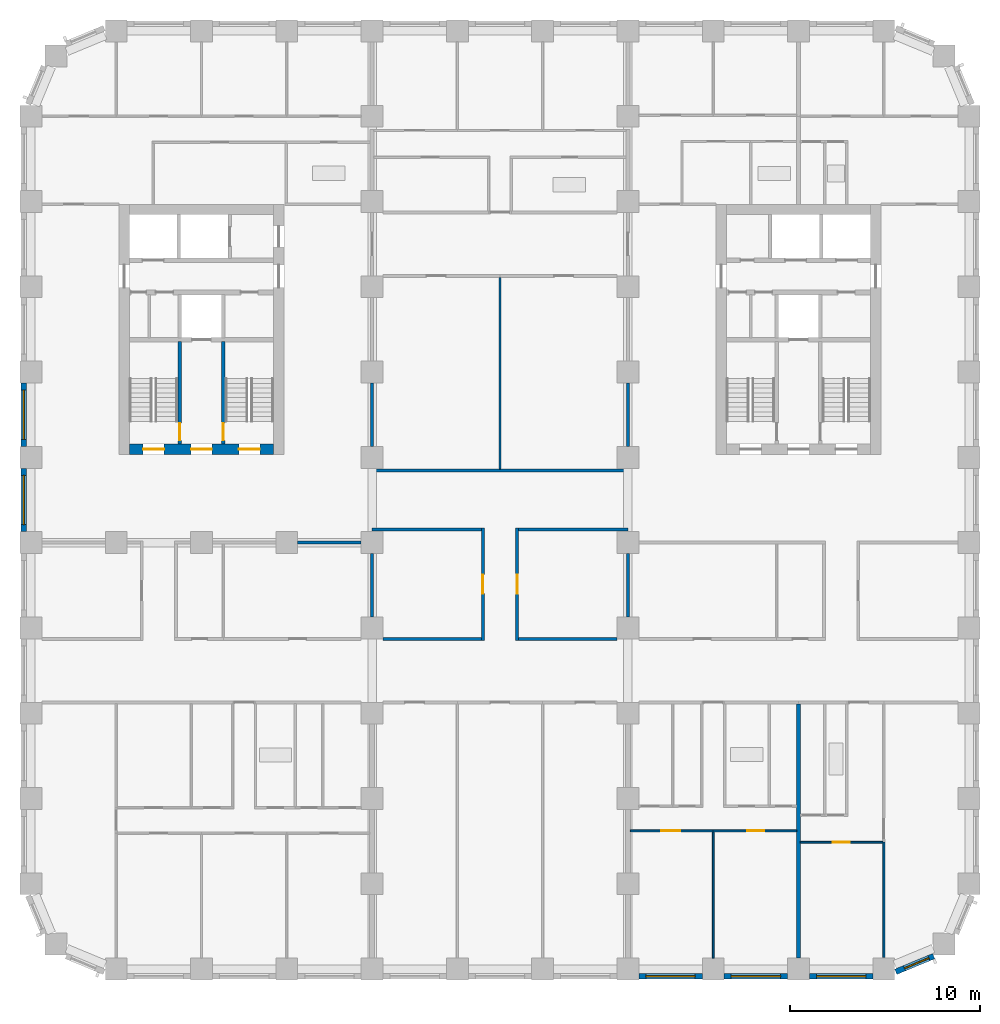
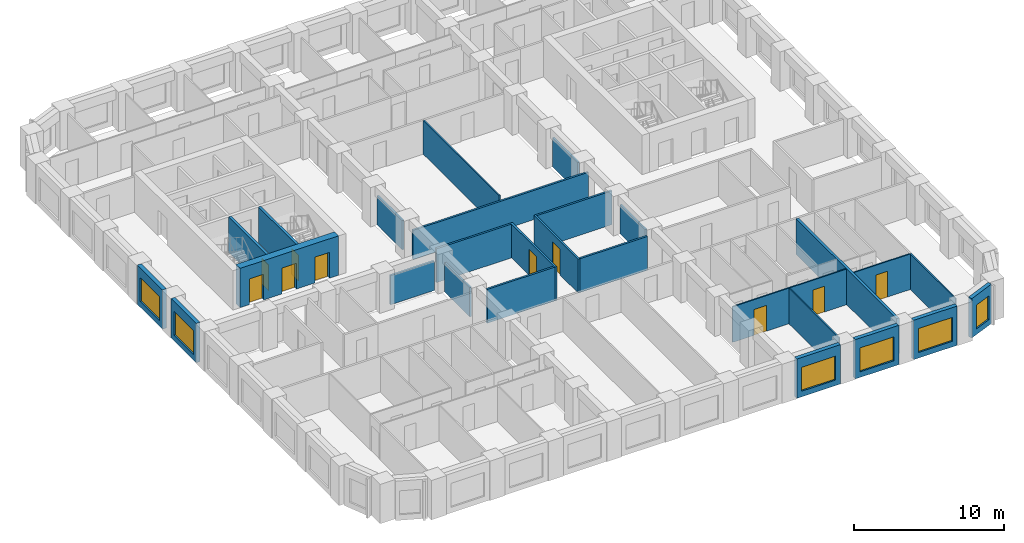
# One storey, part 4 of 13: 28 walls, 10 doors, 6 windows, 16 openings.
"""IFC4 building model written with IfcOpenShell, lengths in metres."""

from ifc_helpers import new_model, si_unit, direction, frame, frame_2d, origin, place, context, subcontext, project, spatial, rectangle, extrude, material, layer, layer_set, type_object, element, fill, save


model = new_model("IFC4")

# Units and contexts
model_context = context("Model", 3, precision=1e-05, world=origin(), true_north=direction((0.0, 1.0)))
body_context = subcontext(model_context, "Body", "Model", "MODEL_VIEW")
ifc_project = project(units=[si_unit("LENGTHUNIT", "METRE"), si_unit("AREAUNIT", "SQUARE_METRE"), si_unit("VOLUMEUNIT", "CUBIC_METRE"), si_unit("PLANEANGLEUNIT", "RADIAN"), si_unit("MASSUNIT", "GRAM", prefix="KILO")], contexts=[model_context])

# Site, building, storey
site_placement = place(None, origin())
site = spatial("IfcSite", under=ifc_project, at=site_placement, CompositionType="ELEMENT")
building_placement = place(site_placement, origin())
building = spatial("IfcBuilding", under=site, at=building_placement, Name="Girih Gate Residences", CompositionType="ELEMENT")
storey_placement = place(building_placement, frame((0.0, 0.0, 86.39990234375)))
storey = spatial("IfcBuildingStorey", under=building, at=storey_placement, Name="L23", CompositionType="ELEMENT", Elevation=86.39990234375)

# Wall, opening, door
ifc_material_1 = material(Name="Gypsum board on steel studs", Category="steel")
ifc_layer_1 = layer(ifc_material_1, 0.14990234375)
ifc_layer_set_1 = layer_set([ifc_layer_1], Name="Compartment wall 150 mm")
wall_type_1 = type_object("IfcWallType", Name="Compartment wall 150 mm", PredefinedType="PARTITIONING", material=ifc_layer_set_1)
wall_1_placement = place(storey_placement, frame((23.85009765625, 17.35009765625, 0.0), z_axis=(0.0, 0.0, 1.0), x_axis=(0.0, 1.0, 0.0)))
wall_1 = element("IfcWall", 1, at=wall_1_placement, inside=storey, type_object=wall_type_1, Name="L23 partition", PredefinedType="PARTITIONING", context=body_context, shape_type="SweptSolid", body=[
    extrude(rectangle(XDim=5.9248046875, YDim=0.14990234375, at=frame_2d((2.96240234375, 0.0))), origin(), (0.0, 0.0, 1.0), 2.75),
])
opening_1_placement = place(wall_1_placement, frame((2.46240234375, 0.0, 0.0)))
opening_1 = element("IfcOpeningElement", 2, at=opening_1_placement, cuts=wall_1, Name="Opening A23-053", PredefinedType="OPENING", context=body_context, shape_type="SweptSolid", body=[
    extrude(rectangle(XDim=1.0, YDim=2.10009765625, at=frame_2d((0.5, 1.050048828125))), frame((0.0, 0.0849609375, 0.0), z_axis=(0.0, -1.0, 0.0), x_axis=(1.0, 0.0, 0.0)), (0.0, 0.0, 1.0), 0.169921875),
])
ifc_material_2 = material(Name="Timber, fire-rated core", Category="wood")
door_type_1 = type_object("IfcDoorType", Name="Amenity room door 1000x2100 FD30S", OperationType="NOTDEFINED", PredefinedType="DOOR", material=ifc_material_2)
door_1_placement = place(opening_1_placement, origin())
door_1 = element("IfcDoor", 3, at=door_1_placement, inside=storey, type_object=door_type_1, Name="Door A23-053", OperationType="SINGLE_SWING_RIGHT", OverallHeight=2.10009765625, OverallWidth=1.0, PredefinedType="DOOR", context=body_context, shape_type="SweptSolid", body=[
    extrude(rectangle(XDim=1.0, YDim=2.10009765625, at=frame_2d((0.5, 1.050048828125))), frame((0.0, 0.02490234375, 0.0), z_axis=(0.0, -1.0, 0.0), x_axis=(1.0, 0.0, 0.0)), (0.0, 0.0, 1.0), 0.050048828125),
])
fill(opening_1, door_1)

wall_2_placement = place(storey_placement, frame((25.64990234375, 23.27490234375, 0.0), z_axis=(0.0, 0.0, 1.0), x_axis=(0.0, -1.0, 0.0)))
wall_2 = element("IfcWall", 4, at=wall_2_placement, inside=storey, type_object=wall_type_1, Name="L23 partition", PredefinedType="PARTITIONING", context=body_context, shape_type="SweptSolid", body=[
    extrude(rectangle(XDim=5.9248046875, YDim=0.14990234375, at=frame_2d((2.96240234375, 0.0))), origin(), (0.0, 0.0, 1.0), 2.75),
])
opening_2_placement = place(wall_2_placement, frame((2.46240234375, 0.0, 0.0)))
opening_2 = element("IfcOpeningElement", 5, at=opening_2_placement, cuts=wall_2, Name="Opening A23-054", PredefinedType="OPENING", context=body_context, shape_type="SweptSolid", body=[
    extrude(rectangle(XDim=1.0, YDim=2.10009765625, at=frame_2d((0.5, 1.050048828125))), frame((0.0, 0.0849609375, 0.0), z_axis=(0.0, -1.0, 0.0), x_axis=(1.0, 0.0, 0.0)), (0.0, 0.0, 1.0), 0.169921875),
])
door_2_placement = place(opening_2_placement, origin())
door_2 = element("IfcDoor", 6, at=door_2_placement, inside=storey, type_object=door_type_1, Name="Door A23-054", OperationType="SINGLE_SWING_RIGHT", OverallHeight=2.10009765625, OverallWidth=1.0, PredefinedType="DOOR", context=body_context, shape_type="SweptSolid", body=[
    extrude(rectangle(XDim=1.0, YDim=2.10009765625, at=frame_2d((0.5, 1.050048828125))), frame((0.0, 0.02490234375, 0.0), z_axis=(0.0, -1.0, 0.0), x_axis=(1.0, 0.0, 0.0)), (0.0, 0.0, 1.0), 0.050048828125),
])
fill(opening_2, door_2)

# Walls
for number, where, z_axis, x_axis, name in (
    (7, (18.574951171875, 17.425048828125, 0.0), (0.0, 0.0, 1.0), (1.0, 0.0, 0.0), "L23 partition"),
    (8, (25.72509765625, 17.425048828125, 0.0), (0.0, 0.0, 1.0), (1.0, 0.0, 0.0), "L23 partition"),
):
    element("IfcWall", number, at=place(storey_placement, frame(where, z_axis=z_axis, x_axis=x_axis)), inside=storey, type_object=wall_type_1, Name=name, PredefinedType="PARTITIONING", context=body_context, shape_type="SweptSolid", body=[
        extrude(rectangle(XDim=5.199951171875, YDim=0.14990234375, at=frame_2d((2.60009765625, 0.0))), origin(), (0.0, 0.0, 1.0), 2.75),
    ])
wall_3_placement = place(storey_placement, frame((18.0, 27.574951171875, 0.0), z_axis=(0.0, 0.0, 1.0), x_axis=(0.0, 1.0, 0.0)))
element("IfcWall", 9, at=wall_3_placement, inside=storey, type_object=wall_type_1, Name="L23 partition", PredefinedType="PARTITIONING", context=body_context, shape_type="SweptSolid", body=[
    extrude(rectangle(XDim=3.35009765625, YDim=0.14990234375, at=frame_2d((1.675048828125, 0.0))), origin(), (0.0, 0.0, 1.0), 2.380126953125),
])
wall_4_placement = place(storey_placement, frame((18.0, 26.300048828125, 0.0), z_axis=(0.0, 0.0, 1.0), x_axis=(1.0, 0.0, 0.0)))
element("IfcWall", 10, at=wall_4_placement, inside=storey, type_object=wall_type_1, Name="L23 partition", PredefinedType="PARTITIONING", context=body_context, shape_type="SweptSolid", body=[
    extrude(rectangle(XDim=13.5, YDim=0.14990234375, at=frame_2d((6.75, 0.0))), origin(), (0.0, 0.0, 1.0), 2.380126953125),
])
wall_5_placement = place(storey_placement, frame((31.5, 27.574951171875, 0.0), z_axis=(0.0, 0.0, 1.0), x_axis=(0.0, 1.0, 0.0)))
element("IfcWall", 11, at=wall_5_placement, inside=storey, type_object=wall_type_1, Name="L23 partition", PredefinedType="PARTITIONING", context=body_context, shape_type="SweptSolid", body=[
    extrude(rectangle(XDim=3.35009765625, YDim=0.14990234375, at=frame_2d((1.675048828125, 0.0))), origin(), (0.0, 0.0, 1.0), 2.380126953125),
])
wall_6_placement = place(storey_placement, frame((18.0, 23.199951171875, 0.0), z_axis=(0.0, 0.0, 1.0), x_axis=(1.0, 0.0, 0.0)))
element("IfcWall", 12, at=wall_6_placement, inside=storey, type_object=wall_type_1, Name="L23 partition", PredefinedType="PARTITIONING", context=body_context, shape_type="SweptSolid", body=[
    extrude(rectangle(XDim=5.77490234375, YDim=0.14990234375, at=frame_2d((2.887451171875, 0.0))), origin(), (0.0, 0.0, 1.0), 2.75),
])
wall_7_placement = place(storey_placement, frame((18.0, 18.574951171875, 0.0), z_axis=(0.0, 0.0, 1.0), x_axis=(0.0, 1.0, 0.0)))
element("IfcWall", 13, at=wall_7_placement, inside=storey, type_object=wall_type_1, Name="L23 partition", PredefinedType="PARTITIONING", context=body_context, shape_type="SweptSolid", body=[
    extrude(rectangle(XDim=3.35009765625, YDim=0.14990234375, at=frame_2d((1.675048828125, 0.0))), origin(), (0.0, 0.0, 1.0), 2.380126953125),
])
wall_8_placement = place(storey_placement, frame((25.72509765625, 23.199951171875, 0.0), z_axis=(0.0, 0.0, 1.0), x_axis=(1.0, 0.0, 0.0)))
element("IfcWall", 14, at=wall_8_placement, inside=storey, type_object=wall_type_1, Name="L23 partition", PredefinedType="PARTITIONING", context=body_context, shape_type="SweptSolid", body=[
    extrude(rectangle(XDim=5.77490234375, YDim=0.14990234375, at=frame_2d((2.887451171875, 0.0))), origin(), (0.0, 0.0, 1.0), 2.75),
])
for number, where, z_axis, x_axis, name in (
    (15, (31.5, 18.574951171875, 0.0), (0.0, 0.0, 1.0), (0.0, 1.0, 0.0), "L23 partition"),
    (16, (14.074951171875, 22.5, 0.0), (0.0, 0.0, 1.0), (1.0, 0.0, 0.0), "L23 partition"),
):
    element("IfcWall", number, at=place(storey_placement, frame(where, z_axis=z_axis, x_axis=x_axis)), inside=storey, type_object=wall_type_1, Name=name, PredefinedType="PARTITIONING", context=body_context, shape_type="SweptSolid", body=[
        extrude(rectangle(XDim=3.35009765625, YDim=0.14990234375, at=frame_2d((1.675048828125, 0.0))), origin(), (0.0, 0.0, 1.0), 2.380126953125),
    ])

# Wall, openings, doors
ifc_material_3 = material(Name="Concrete C60/75", Category="concrete")
ifc_layer_2 = layer(ifc_material_3, 0.550048828125)
ifc_layer_set_2 = layer_set([ifc_layer_2], Name="Core wall RC 550 Concrete C60/75")
wall_type_2 = type_object("IfcWallType", Name="Core wall RC 550 Concrete C60/75", PredefinedType="SOLIDWALL", material=ifc_layer_set_2)
wall_9_placement = place(storey_placement, frame((5.199951171875, 27.425048828125, 0.0), z_axis=(0.0, 0.0, 1.0), x_axis=(1.0, 0.0, 0.0)))
wall_9 = element("IfcWall", 17, at=wall_9_placement, inside=storey, type_object=wall_type_2, Name="Core wall W-S L23", PredefinedType="SOLIDWALL", context=body_context, shape_type="SweptSolid", body=[
    extrude(rectangle(XDim=7.60009765625, YDim=0.550048828125, at=frame_2d((3.800048828125, 0.0))), origin(), (0.0, 0.0, 1.0), 3.2001953125),
])
opening_3_placement = place(wall_9_placement, frame((0.72509765625, 0.0, 0.0)))
opening_3 = element("IfcOpeningElement", 18, at=opening_3_placement, cuts=wall_9, Name="Opening D-L23-W-009", PredefinedType="OPENING", context=body_context, shape_type="SweptSolid", body=[
    extrude(rectangle(XDim=1.10009765625, YDim=2.10009765625, at=frame_2d((0.550048828125, 1.050048828125))), frame((0.0, 0.284912109375, 0.0), z_axis=(0.0, -1.0, 0.0), x_axis=(1.0, 0.0, 0.0)), (0.0, 0.0, 1.0), 0.570068359375),
])
opening_4_placement = place(wall_9_placement, frame((3.25, 0.0, 0.0)))
opening_4 = element("IfcOpeningElement", 19, at=opening_4_placement, cuts=wall_9, Name="Opening D-L23-W-010", PredefinedType="OPENING", context=body_context, shape_type="SweptSolid", body=[
    extrude(rectangle(XDim=1.10009765625, YDim=2.10009765625, at=frame_2d((0.550048828125, 1.050048828125))), frame((0.0, 0.284912109375, 0.0), z_axis=(0.0, -1.0, 0.0), x_axis=(1.0, 0.0, 0.0)), (0.0, 0.0, 1.0), 0.570068359375),
])
opening_5_placement = place(wall_9_placement, frame((5.77490234375, 0.0, 0.0)))
opening_5 = element("IfcOpeningElement", 20, at=opening_5_placement, cuts=wall_9, Name="Opening D-L23-W-011", PredefinedType="OPENING", context=body_context, shape_type="SweptSolid", body=[
    extrude(rectangle(XDim=1.10009765625, YDim=2.10009765625, at=frame_2d((0.550048828125, 1.050048828125))), frame((0.0, 0.284912109375, 0.0), z_axis=(0.0, -1.0, 0.0), x_axis=(1.0, 0.0, 0.0)), (0.0, 0.0, 1.0), 0.570068359375),
])
ifc_material_4 = material(Name="Painted steel, fire-resisting", Category="steel")
door_type_2 = type_object("IfcDoorType", Name="Fire door 1100x2100", OperationType="SINGLE_SWING_LEFT", PredefinedType="DOOR", material=ifc_material_4)
door_3_placement = place(opening_3_placement, origin())
door_3 = element("IfcDoor", 21, at=door_3_placement, inside=storey, type_object=door_type_2, Name="L23 W core door sta-out", OperationType="SINGLE_SWING_LEFT", OverallHeight=2.10009765625, OverallWidth=1.10009765625, PredefinedType="DOOR", context=body_context, shape_type="SweptSolid", body=[
    extrude(rectangle(XDim=1.10009765625, YDim=2.10009765625, at=frame_2d((0.550048828125, 1.050048828125))), frame((0.0, 0.02490234375, 0.0), z_axis=(0.0, -1.0, 0.0), x_axis=(1.0, 0.0, 0.0)), (0.0, 0.0, 1.0), 0.050048828125),
])
fill(opening_3, door_3)
door_4_placement = place(opening_4_placement, origin())
door_4 = element("IfcDoor", 22, at=door_4_placement, inside=storey, type_object=door_type_2, Name="L23 W core door ffl-out", OperationType="SINGLE_SWING_LEFT", OverallHeight=2.10009765625, OverallWidth=1.10009765625, PredefinedType="DOOR", context=body_context, shape_type="SweptSolid", body=[
    extrude(rectangle(XDim=1.10009765625, YDim=2.10009765625, at=frame_2d((0.550048828125, 1.050048828125))), frame((0.0, 0.02490234375, 0.0), z_axis=(0.0, -1.0, 0.0), x_axis=(1.0, 0.0, 0.0)), (0.0, 0.0, 1.0), 0.050048828125),
])
fill(opening_4, door_4)
door_5_placement = place(opening_5_placement, origin())
door_5 = element("IfcDoor", 23, at=door_5_placement, inside=storey, type_object=door_type_2, Name="L23 W core door stb-out", OperationType="SINGLE_SWING_LEFT", OverallHeight=2.10009765625, OverallWidth=1.10009765625, PredefinedType="DOOR", context=body_context, shape_type="SweptSolid", body=[
    extrude(rectangle(XDim=1.10009765625, YDim=2.10009765625, at=frame_2d((0.550048828125, 1.050048828125))), frame((0.0, 0.02490234375, 0.0), z_axis=(0.0, -1.0, 0.0), x_axis=(1.0, 0.0, 0.0)), (0.0, 0.0, 1.0), 0.050048828125),
])
fill(opening_5, door_5)

# Wall, opening, door
ifc_layer_3 = layer(ifc_material_1, 0.10009765625)
ifc_layer_set_3 = layer_set([ifc_layer_3], Name="Partition 100 mm")
wall_type_3 = type_object("IfcWallType", Name="Partition 100 mm", PredefinedType="PARTITIONING", material=ifc_layer_set_3)
wall_10_placement = place(storey_placement, frame((44.949951171875, 6.695068359375, 0.0), z_axis=(0.0, 0.0, 1.0), x_axis=(-1.0, 0.0, 0.0)))
wall_10 = element("IfcWall", 24, at=wall_10_placement, inside=storey, type_object=wall_type_3, Name="L23 partition", PredefinedType="PARTITIONING", context=body_context, shape_type="SweptSolid", body=[
    extrude(rectangle(XDim=4.349853515625, YDim=0.10009765625, at=frame_2d((2.1748046875, 0.0))), origin(), (0.0, 0.0, 1.0), 2.900146484375),
])
opening_6_placement = place(wall_10_placement, frame((1.75, 0.0, 0.0)))
opening_6 = element("IfcOpeningElement", 25, at=opening_6_placement, cuts=wall_10, Name="Opening A23-019", PredefinedType="OPENING", context=body_context, shape_type="SweptSolid", body=[
    extrude(rectangle(XDim=0.89990234375, YDim=2.10009765625, at=frame_2d((0.449951171875, 1.050048828125))), frame((0.0, 0.06005859375, 0.0), z_axis=(0.0, -1.0, 0.0), x_axis=(1.0, 0.0, 0.0)), (0.0, 0.0, 1.0), 0.1201171875),
])
ifc_material_5 = material(Name="Timber", Category="wood")
door_type_3 = type_object("IfcDoorType", Name="Bedroom door 900x2100", OperationType="NOTDEFINED", PredefinedType="DOOR", material=ifc_material_5)
door_6_placement = place(opening_6_placement, origin())
door_6 = element("IfcDoor", 26, at=door_6_placement, inside=storey, type_object=door_type_3, Name="Door A23-019", OperationType="SINGLE_SWING_RIGHT", OverallHeight=2.10009765625, OverallWidth=0.89990234375, PredefinedType="DOOR", context=body_context, shape_type="SweptSolid", body=[
    extrude(rectangle(XDim=0.89990234375, YDim=2.10009765625, at=frame_2d((0.449951171875, 1.050048828125))), frame((0.0, 0.02490234375, 0.0), z_axis=(0.0, -1.0, 0.0), x_axis=(1.0, 0.0, 0.0)), (0.0, 0.0, 1.0), 0.050048828125),
])
fill(opening_6, door_6)

# Wall
wall_11_placement = place(storey_placement, frame((45.0, 0.622314453125, 0.0), z_axis=(0.0, 0.0, 1.0), x_axis=(0.0, 1.0, 0.0)))
element("IfcWall", 27, at=wall_11_placement, inside=storey, type_object=wall_type_3, Name="L23 partition", PredefinedType="PARTITIONING", context=body_context, shape_type="SweptSolid", body=[
    extrude(rectangle(XDim=6.07275390625, YDim=0.10009765625, at=frame_2d((3.036376953125, 0.0))), origin(), (0.0, 0.0, 1.0), 2.900146484375),
])

# Wall, opening, door
wall_12_placement = place(storey_placement, frame((40.39990234375, 7.294921875, 0.0), z_axis=(0.0, 0.0, 1.0), x_axis=(-1.0, 0.0, 0.0)))
wall_12 = element("IfcWall", 28, at=wall_12_placement, inside=storey, type_object=wall_type_3, Name="L23 partition", PredefinedType="PARTITIONING", context=body_context, shape_type="SweptSolid", body=[
    extrude(rectangle(XDim=4.39990234375, YDim=0.10009765625, at=frame_2d((2.199951171875, 0.0))), origin(), (0.0, 0.0, 1.0), 2.900146484375),
])
opening_7_placement = place(wall_12_placement, frame((1.699951171875, 0.0, 0.0)))
opening_7 = element("IfcOpeningElement", 29, at=opening_7_placement, cuts=wall_12, Name="Opening A23-024", PredefinedType="OPENING", context=body_context, shape_type="SweptSolid", body=[
    extrude(rectangle(XDim=0.89990234375, YDim=2.10009765625, at=frame_2d((0.449951171875, 1.050048828125))), frame((0.0, 0.06005859375, 0.0), z_axis=(0.0, -1.0, 0.0), x_axis=(1.0, 0.0, 0.0)), (0.0, 0.0, 1.0), 0.1201171875),
])
door_7_placement = place(opening_7_placement, origin())
door_7 = element("IfcDoor", 30, at=door_7_placement, inside=storey, type_object=door_type_3, Name="Door A23-024", OperationType="SINGLE_SWING_LEFT", OverallHeight=2.10009765625, OverallWidth=0.89990234375, PredefinedType="DOOR", context=body_context, shape_type="SweptSolid", body=[
    extrude(rectangle(XDim=0.89990234375, YDim=2.10009765625, at=frame_2d((0.449951171875, 1.050048828125))), frame((0.0, 0.02490234375, 0.0), z_axis=(0.0, -1.0, 0.0), x_axis=(1.0, 0.0, 0.0)), (0.0, 0.0, 1.0), 0.050048828125),
])
fill(opening_7, door_7)

# Wall
wall_13_placement = place(storey_placement, frame((36.0, 0.574951171875, 0.0), z_axis=(0.0, 0.0, 1.0), x_axis=(0.0, 1.0, 0.0)))
element("IfcWall", 31, at=wall_13_placement, inside=storey, type_object=wall_type_3, Name="L23 partition", PredefinedType="PARTITIONING", context=body_context, shape_type="SweptSolid", body=[
    extrude(rectangle(XDim=6.670166015625, YDim=0.10009765625, at=frame_2d((3.3349609375, 0.0))), origin(), (0.0, 0.0, 1.0), 2.900146484375),
])

# Wall, opening, door
wall_14_placement = place(storey_placement, frame((36.0, 7.294921875, 0.0), z_axis=(0.0, 0.0, 1.0), x_axis=(-1.0, 0.0, 0.0)))
wall_14 = element("IfcWall", 32, at=wall_14_placement, inside=storey, type_object=wall_type_3, Name="L23 partition", PredefinedType="PARTITIONING", context=body_context, shape_type="SweptSolid", body=[
    extrude(rectangle(XDim=4.375, YDim=0.10009765625, at=frame_2d((2.1875, 0.0))), origin(), (0.0, 0.0, 1.0), 2.900146484375),
])
opening_8_placement = place(wall_14_placement, frame((1.75, 0.0, 0.0)))
opening_8 = element("IfcOpeningElement", 33, at=opening_8_placement, cuts=wall_14, Name="Opening A23-026", PredefinedType="OPENING", context=body_context, shape_type="SweptSolid", body=[
    extrude(rectangle(XDim=1.0, YDim=2.10009765625, at=frame_2d((0.5, 1.050048828125))), frame((0.0, 0.06005859375, 0.0), z_axis=(0.0, -1.0, 0.0), x_axis=(1.0, 0.0, 0.0)), (0.0, 0.0, 1.0), 0.1201171875),
])
door_type_4 = type_object("IfcDoorType", Name="Living room door 1000x2100", OperationType="NOTDEFINED", PredefinedType="DOOR", material=ifc_material_5)
door_8_placement = place(opening_8_placement, origin())
door_8 = element("IfcDoor", 34, at=door_8_placement, inside=storey, type_object=door_type_4, Name="Door A23-026", OperationType="SINGLE_SWING_RIGHT", OverallHeight=2.10009765625, OverallWidth=1.0, PredefinedType="DOOR", context=body_context, shape_type="SweptSolid", body=[
    extrude(rectangle(XDim=1.0, YDim=2.10009765625, at=frame_2d((0.5, 1.050048828125))), frame((0.0, 0.02490234375, 0.0), z_axis=(0.0, -1.0, 0.0), x_axis=(1.0, 0.0, 0.0)), (0.0, 0.0, 1.0), 0.050048828125),
])
fill(opening_8, door_8)

# Walls
wall_15_placement = place(storey_placement, frame((24.75, 26.375, 0.0), z_axis=(0.0, 0.0, 1.0), x_axis=(0.0, 1.0, 0.0)))
element("IfcWall", 35, at=wall_15_placement, inside=storey, type_object=wall_type_3, Name="L23 partition", PredefinedType="PARTITIONING", context=body_context, shape_type="SweptSolid", body=[
    extrude(rectangle(XDim=10.125, YDim=0.10009765625, at=frame_2d((5.0625, 0.0))), origin(), (0.0, 0.0, 1.0), 2.75),
])
ifc_layer_4 = layer(ifc_material_1, 0.199951171875)
ifc_layer_set_4 = layer_set([ifc_layer_4], Name="Party wall 200 mm")
wall_type_4 = type_object("IfcWallType", Name="Party wall 200 mm", PredefinedType="PARTITIONING", material=ifc_layer_set_4)
wall_16_placement = place(storey_placement, frame((40.5, 0.574951171875, 0.0), z_axis=(0.0, 0.0, 1.0), x_axis=(0.0, 1.0, 0.0)))
element("IfcWall", 36, at=wall_16_placement, inside=storey, type_object=wall_type_4, Name="L23 partition", PredefinedType="PARTITIONING", context=body_context, shape_type="SweptSolid", body=[
    extrude(rectangle(XDim=13.425048828125, YDim=0.199951171875, at=frame_2d((6.71240234375, 0.0))), origin(), (0.0, 0.0, 1.0), 2.900146484375),
])

# Wall, opening, window
ifc_material_6 = material(Name="Precast concrete C50/60", Category="concrete")
ifc_layer_5 = layer(ifc_material_6, 0.080078125, Name="Outer leaf")
ifc_material_7 = material(Name="Rigid PIR insulation")
ifc_layer_6 = layer(ifc_material_7, 0.14990234375, Name="Insulation")
ifc_material_8 = material(Name="Precast concrete C40/50", Category="concrete")
ifc_layer_7 = layer(ifc_material_8, 0.070068359375, Name="Inner leaf")
ifc_layer_set_5 = layer_set([ifc_layer_5, ifc_layer_6, ifc_layer_7], Name="Precast concrete C50/60 external wall 300")
wall_type_5 = type_object("IfcWallType", Name="Precast concrete C50/60 external wall 300", PredefinedType="SOLIDWALL", material=ifc_layer_set_5)
wall_17_placement = place(storey_placement, frame((35.425048828125, -0.375, 0.0), z_axis=(0.0, 0.0, 1.0), x_axis=(-1.0, 0.0, 0.0)))
wall_17 = element("IfcWall", 37, at=wall_17_placement, inside=storey, type_object=wall_type_5, Name="External wall S0045_0000.6", PredefinedType="SOLIDWALL", context=body_context, shape_type="SweptSolid", body=[
    extrude(rectangle(XDim=3.35009765625, YDim=0.300048828125, at=frame_2d((1.675048828125, 0.0))), origin(), (0.0, 0.0, 1.0), 3.2001953125),
])
opening_9_placement = place(wall_17_placement, frame((0.375, 0.0, 0.449951171875)))
opening_9 = element("IfcOpeningElement", 38, at=opening_9_placement, cuts=wall_17, Name="Opening W-1A", PredefinedType="OPENING", context=body_context, shape_type="SweptSolid", body=[
    extrude(rectangle(XDim=2.60009765625, YDim=1.949951171875, at=frame_2d((1.300048828125, 0.97509765625))), frame((0.0, 0.159912109375, 0.0), z_axis=(0.0, -1.0, 0.0), x_axis=(1.0, 0.0, 0.0)), (0.0, 0.0, 1.0), 0.320068359375),
])
ifc_material_9 = material(Name="Double glazing in aluminium frame", Category="aluminium")
window_type_1 = type_object("IfcWindowType", Name="Window W-1A 2600x1950", PartitioningType="SINGLE_PANEL", PredefinedType="WINDOW", material=ifc_material_9)
window_1_placement = place(opening_9_placement, origin())
window_1 = element("IfcWindow", 39, at=window_1_placement, inside=storey, type_object=window_type_1, Name="Window W-1A S0045_0000.6", OverallHeight=1.949951171875, OverallWidth=2.60009765625, PartitioningType="SINGLE_PANEL", PredefinedType="WINDOW", context=body_context, shape_type="SweptSolid", body=[
    extrude(rectangle(XDim=2.60009765625, YDim=1.949951171875, at=frame_2d((1.300048828125, 0.97509765625))), frame((0.0, 0.030029296875, 0.0), z_axis=(0.0, -1.0, 0.0), x_axis=(1.0, 0.0, 0.0)), (0.0, 0.0, 1.0), 0.06005859375),
])
fill(opening_9, window_1)

wall_18_placement = place(storey_placement, frame((39.925048828125, -0.375, 0.0), z_axis=(0.0, 0.0, 1.0), x_axis=(-1.0, 0.0, 0.0)))
wall_18 = element("IfcWall", 40, at=wall_18_placement, inside=storey, type_object=wall_type_5, Name="External wall S0045_0000.7", PredefinedType="SOLIDWALL", context=body_context, shape_type="SweptSolid", body=[
    extrude(rectangle(XDim=3.35009765625, YDim=0.300048828125, at=frame_2d((1.675048828125, 0.0))), origin(), (0.0, 0.0, 1.0), 3.2001953125),
])
opening_10_placement = place(wall_18_placement, frame((0.375, 0.0, 0.449951171875)))
opening_10 = element("IfcOpeningElement", 41, at=opening_10_placement, cuts=wall_18, Name="Opening W-1A", PredefinedType="OPENING", context=body_context, shape_type="SweptSolid", body=[
    extrude(rectangle(XDim=2.60009765625, YDim=1.949951171875, at=frame_2d((1.300048828125, 0.97509765625))), frame((0.0, 0.159912109375, 0.0), z_axis=(0.0, -1.0, 0.0), x_axis=(1.0, 0.0, 0.0)), (0.0, 0.0, 1.0), 0.320068359375),
])
window_2_placement = place(opening_10_placement, origin())
window_2 = element("IfcWindow", 42, at=window_2_placement, inside=storey, type_object=window_type_1, Name="Window W-1A S0045_0000.7", OverallHeight=1.949951171875, OverallWidth=2.60009765625, PartitioningType="SINGLE_PANEL", PredefinedType="WINDOW", context=body_context, shape_type="SweptSolid", body=[
    extrude(rectangle(XDim=2.60009765625, YDim=1.949951171875, at=frame_2d((1.300048828125, 0.97509765625))), frame((0.0, 0.030029296875, 0.0), z_axis=(0.0, -1.0, 0.0), x_axis=(1.0, 0.0, 0.0)), (0.0, 0.0, 1.0), 0.06005859375),
])
fill(opening_10, window_2)

wall_19_placement = place(storey_placement, frame((44.425048828125, -0.375, 0.0), z_axis=(0.0, 0.0, 1.0), x_axis=(-1.0, 0.0, 0.0)))
wall_19 = element("IfcWall", 43, at=wall_19_placement, inside=storey, type_object=wall_type_5, Name="External wall S0045_0000.8", PredefinedType="SOLIDWALL", context=body_context, shape_type="SweptSolid", body=[
    extrude(rectangle(XDim=3.35009765625, YDim=0.300048828125, at=frame_2d((1.675048828125, 0.0))), origin(), (0.0, 0.0, 1.0), 3.2001953125),
])
opening_11_placement = place(wall_19_placement, frame((0.375, 0.0, 0.449951171875)))
opening_11 = element("IfcOpeningElement", 44, at=opening_11_placement, cuts=wall_19, Name="Opening W-1A", PredefinedType="OPENING", context=body_context, shape_type="SweptSolid", body=[
    extrude(rectangle(XDim=2.60009765625, YDim=1.949951171875, at=frame_2d((1.300048828125, 0.97509765625))), frame((0.0, 0.159912109375, 0.0), z_axis=(0.0, -1.0, 0.0), x_axis=(1.0, 0.0, 0.0)), (0.0, 0.0, 1.0), 0.320068359375),
])
window_3_placement = place(opening_11_placement, origin())
window_3 = element("IfcWindow", 45, at=window_3_placement, inside=storey, type_object=window_type_1, Name="Window W-1A S0045_0000.8", OverallHeight=1.949951171875, OverallWidth=2.60009765625, PartitioningType="SINGLE_PANEL", PredefinedType="WINDOW", context=body_context, shape_type="SweptSolid", body=[
    extrude(rectangle(XDim=2.60009765625, YDim=1.949951171875, at=frame_2d((1.300048828125, 0.97509765625))), frame((0.0, 0.030029296875, 0.0), z_axis=(0.0, -1.0, 0.0), x_axis=(1.0, 0.0, 0.0)), (0.0, 0.0, 1.0), 0.06005859375),
])
fill(opening_11, window_3)

wall_20_placement = place(storey_placement, frame((47.63134765625, 0.68408203125, 0.0), z_axis=(0.0, 0.0, 1.0), x_axis=(-0.923862802911, -0.382723818695, 0.0)))
wall_20 = element("IfcWall", 46, at=wall_20_placement, inside=storey, type_object=wall_type_5, Name="External wall SE0450_0000.0", PredefinedType="SOLIDWALL", context=body_context, shape_type="SweptSolid", body=[
    extrude(rectangle(XDim=2.163818359375, YDim=0.300048828125, at=frame_2d((1.08203125, 0.0))), origin(), (0.0, 0.0, 1.0), 3.2001953125),
])
opening_12_placement = place(wall_20_placement, frame((0.270751953125, 0.0, 0.449951171875)))
opening_12 = element("IfcOpeningElement", 47, at=opening_12_placement, cuts=wall_20, Name="Opening W-2D", PredefinedType="OPENING", context=body_context, shape_type="SweptSolid", body=[
    extrude(rectangle(XDim=1.39990234375, YDim=1.949951171875, at=frame_2d((0.699951171875, 0.97509765625))), frame((0.0, 0.159912109375, 0.0), z_axis=(0.0, -1.0, 0.0), x_axis=(1.0, 0.0, 0.0)), (0.0, 0.0, 1.0), 0.320068359375),
])
window_type_2 = type_object("IfcWindowType", Name="Window W-2D 1400x1950", PartitioningType="SINGLE_PANEL", PredefinedType="WINDOW", material=ifc_material_9)
window_4_placement = place(opening_12_placement, origin())
window_4 = element("IfcWindow", 48, at=window_4_placement, inside=storey, type_object=window_type_2, Name="Window W-2D SE0450_0000.0", OverallHeight=1.949951171875, OverallWidth=1.39990234375, PartitioningType="SINGLE_PANEL", PredefinedType="WINDOW", context=body_context, shape_type="SweptSolid", body=[
    extrude(rectangle(XDim=1.39990234375, YDim=1.949951171875, at=frame_2d((0.699951171875, 0.97509765625))), frame((0.0, 0.030029296875, 0.0), z_axis=(0.0, -1.0, 0.0), x_axis=(1.0, 0.0, 0.0)), (0.0, 0.0, 1.0), 0.06005859375),
])
fill(opening_12, window_4)

wall_21_placement = place(storey_placement, frame((-0.375, 27.574951171875, 0.0), z_axis=(0.0, 0.0, 1.0), x_axis=(0.0, 1.0, 0.0)))
wall_21 = element("IfcWall", 49, at=wall_21_placement, inside=storey, type_object=wall_type_5, Name="External wall W0000_0450.3", PredefinedType="SOLIDWALL", context=body_context, shape_type="SweptSolid", body=[
    extrude(rectangle(XDim=3.35009765625, YDim=0.300048828125, at=frame_2d((1.675048828125, 0.0))), origin(), (0.0, 0.0, 1.0), 3.2001953125),
])
opening_13_placement = place(wall_21_placement, frame((0.375, 0.0, 0.449951171875)))
opening_13 = element("IfcOpeningElement", 50, at=opening_13_placement, cuts=wall_21, Name="Opening W-1A", PredefinedType="OPENING", context=body_context, shape_type="SweptSolid", body=[
    extrude(rectangle(XDim=2.60009765625, YDim=1.949951171875, at=frame_2d((1.300048828125, 0.97509765625))), frame((0.0, 0.159912109375, 0.0), z_axis=(0.0, -1.0, 0.0), x_axis=(1.0, 0.0, 0.0)), (0.0, 0.0, 1.0), 0.320068359375),
])
window_5_placement = place(opening_13_placement, origin())
window_5 = element("IfcWindow", 51, at=window_5_placement, inside=storey, type_object=window_type_1, Name="Window W-1A W0000_0450.3", OverallHeight=1.949951171875, OverallWidth=2.60009765625, PartitioningType="SINGLE_PANEL", PredefinedType="WINDOW", context=body_context, shape_type="SweptSolid", body=[
    extrude(rectangle(XDim=2.60009765625, YDim=1.949951171875, at=frame_2d((1.300048828125, 0.97509765625))), frame((0.0, 0.030029296875, 0.0), z_axis=(0.0, -1.0, 0.0), x_axis=(1.0, 0.0, 0.0)), (0.0, 0.0, 1.0), 0.06005859375),
])
fill(opening_13, window_5)

wall_22_placement = place(storey_placement, frame((-0.375, 23.074951171875, 0.0), z_axis=(0.0, 0.0, 1.0), x_axis=(0.0, 1.0, 0.0)))
wall_22 = element("IfcWall", 52, at=wall_22_placement, inside=storey, type_object=wall_type_5, Name="External wall W0000_0450.4", PredefinedType="SOLIDWALL", context=body_context, shape_type="SweptSolid", body=[
    extrude(rectangle(XDim=3.35009765625, YDim=0.300048828125, at=frame_2d((1.675048828125, 0.0))), origin(), (0.0, 0.0, 1.0), 3.2001953125),
])
opening_14_placement = place(wall_22_placement, frame((0.375, 0.0, 0.449951171875)))
opening_14 = element("IfcOpeningElement", 53, at=opening_14_placement, cuts=wall_22, Name="Opening W-1A", PredefinedType="OPENING", context=body_context, shape_type="SweptSolid", body=[
    extrude(rectangle(XDim=2.60009765625, YDim=1.949951171875, at=frame_2d((1.300048828125, 0.97509765625))), frame((0.0, 0.159912109375, 0.0), z_axis=(0.0, -1.0, 0.0), x_axis=(1.0, 0.0, 0.0)), (0.0, 0.0, 1.0), 0.320068359375),
])
window_6_placement = place(opening_14_placement, origin())
window_6 = element("IfcWindow", 54, at=window_6_placement, inside=storey, type_object=window_type_1, Name="Window W-1A W0000_0450.4", OverallHeight=1.949951171875, OverallWidth=2.60009765625, PartitioningType="SINGLE_PANEL", PredefinedType="WINDOW", context=body_context, shape_type="SweptSolid", body=[
    extrude(rectangle(XDim=2.60009765625, YDim=1.949951171875, at=frame_2d((1.300048828125, 0.97509765625))), frame((0.0, 0.030029296875, 0.0), z_axis=(0.0, -1.0, 0.0), x_axis=(1.0, 0.0, 0.0)), (0.0, 0.0, 1.0), 0.06005859375),
])
fill(opening_14, window_6)

# Wall, opening, door
ifc_material_10 = material(Name="Concrete C40/50", Category="concrete")
ifc_layer_8 = layer(ifc_material_10, 0.199951171875)
ifc_layer_set_6 = layer_set([ifc_layer_8], Name="Shaft wall 200")
wall_type_6 = type_object("IfcWallType", Name="Shaft wall 200", PredefinedType="SOLIDWALL", material=ifc_layer_set_6)
wall_23_placement = place(storey_placement, frame((7.85009765625, 27.699951171875, 0.0), z_axis=(0.0, 0.0, 1.0), x_axis=(0.0, 1.0, 0.0)))
wall_23 = element("IfcWall", 55, at=wall_23_placement, inside=storey, type_object=wall_type_6, Name="L23 W core wall V1a", PredefinedType="SOLIDWALL", context=body_context, shape_type="SweptSolid", body=[
    extrude(rectangle(XDim=5.400146484375, YDim=0.199951171875, at=frame_2d((2.7001953125, 0.0))), origin(), (0.0, 0.0, 1.0), 2.900146484375),
])
opening_15_placement = place(wall_23_placement, frame((0.199951171875, 0.0, 0.0)))
opening_15 = element("IfcOpeningElement", 56, at=opening_15_placement, cuts=wall_23, Name="Opening D-L23-W-001", PredefinedType="OPENING", context=body_context, shape_type="SweptSolid", body=[
    extrude(rectangle(XDim=0.89990234375, YDim=2.10009765625, at=frame_2d((0.449951171875, 1.050048828125))), frame((0.0, 0.10986328125, 0.0), z_axis=(0.0, -1.0, 0.0), x_axis=(1.0, 0.0, 0.0)), (0.0, 0.0, 1.0), 0.219970703125),
])
door_type_5 = type_object("IfcDoorType", Name="Fire door 900x2100", OperationType="SINGLE_SWING_LEFT", PredefinedType="DOOR", material=ifc_material_4)
door_9_placement = place(opening_15_placement, origin())
door_9 = element("IfcDoor", 57, at=door_9_placement, inside=storey, type_object=door_type_5, Name="L23 W door stair 1 to firefighting lobby", OperationType="SINGLE_SWING_LEFT", OverallHeight=2.10009765625, OverallWidth=0.89990234375, PredefinedType="DOOR", context=body_context, shape_type="SweptSolid", body=[
    extrude(rectangle(XDim=0.89990234375, YDim=2.10009765625, at=frame_2d((0.449951171875, 1.050048828125))), frame((0.0, 0.02490234375, 0.0), z_axis=(0.0, -1.0, 0.0), x_axis=(1.0, 0.0, 0.0)), (0.0, 0.0, 1.0), 0.050048828125),
])
fill(opening_15, door_9)

wall_24_placement = place(storey_placement, frame((10.14990234375, 27.699951171875, 0.0), z_axis=(0.0, 0.0, 1.0), x_axis=(0.0, 1.0, 0.0)))
wall_24 = element("IfcWall", 58, at=wall_24_placement, inside=storey, type_object=wall_type_6, Name="L23 W core wall V2a", PredefinedType="SOLIDWALL", context=body_context, shape_type="SweptSolid", body=[
    extrude(rectangle(XDim=5.400146484375, YDim=0.199951171875, at=frame_2d((2.7001953125, 0.0))), origin(), (0.0, 0.0, 1.0), 2.900146484375),
])
opening_16_placement = place(wall_24_placement, frame((0.199951171875, 0.0, 0.0)))
opening_16 = element("IfcOpeningElement", 59, at=opening_16_placement, cuts=wall_24, Name="Opening D-L23-W-002", PredefinedType="OPENING", context=body_context, shape_type="SweptSolid", body=[
    extrude(rectangle(XDim=0.89990234375, YDim=2.10009765625, at=frame_2d((0.449951171875, 1.050048828125))), frame((0.0, 0.10986328125, 0.0), z_axis=(0.0, -1.0, 0.0), x_axis=(1.0, 0.0, 0.0)), (0.0, 0.0, 1.0), 0.219970703125),
])
door_10_placement = place(opening_16_placement, origin())
door_10 = element("IfcDoor", 60, at=door_10_placement, inside=storey, type_object=door_type_5, Name="L23 W door stair 2 to firefighting lobby", OperationType="SINGLE_SWING_LEFT", OverallHeight=2.10009765625, OverallWidth=0.89990234375, PredefinedType="DOOR", context=body_context, shape_type="SweptSolid", body=[
    extrude(rectangle(XDim=0.89990234375, YDim=2.10009765625, at=frame_2d((0.449951171875, 1.050048828125))), frame((0.0, 0.02490234375, 0.0), z_axis=(0.0, -1.0, 0.0), x_axis=(1.0, 0.0, 0.0)), (0.0, 0.0, 1.0), 0.050048828125),
])
fill(opening_16, door_10)

save(model, "model.ifc")
